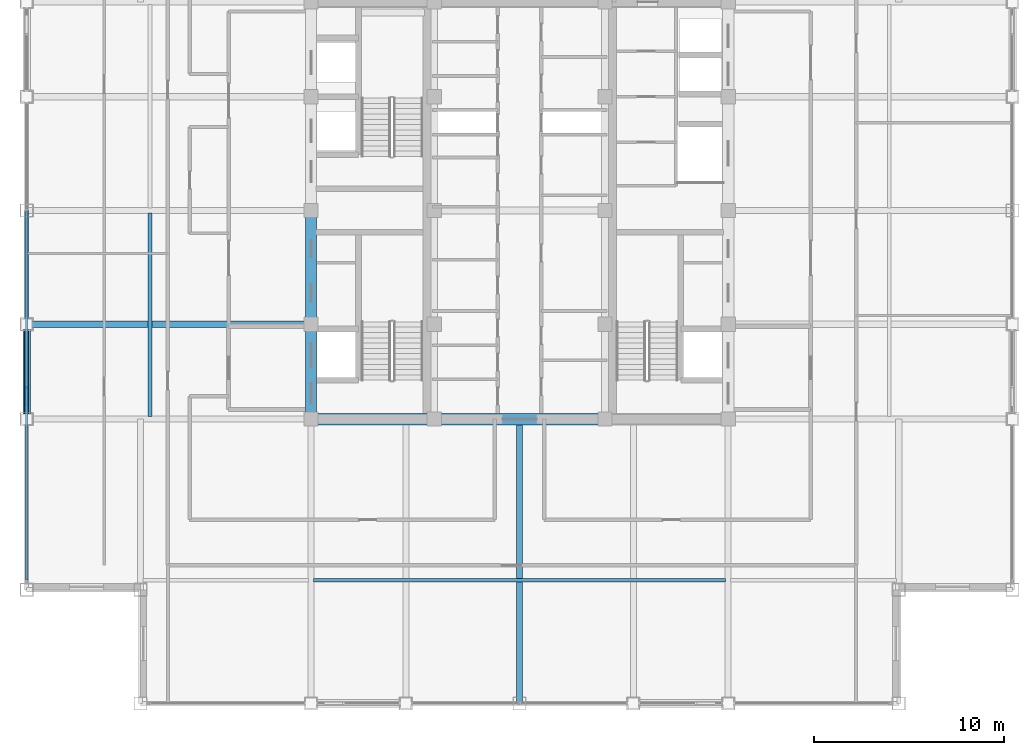
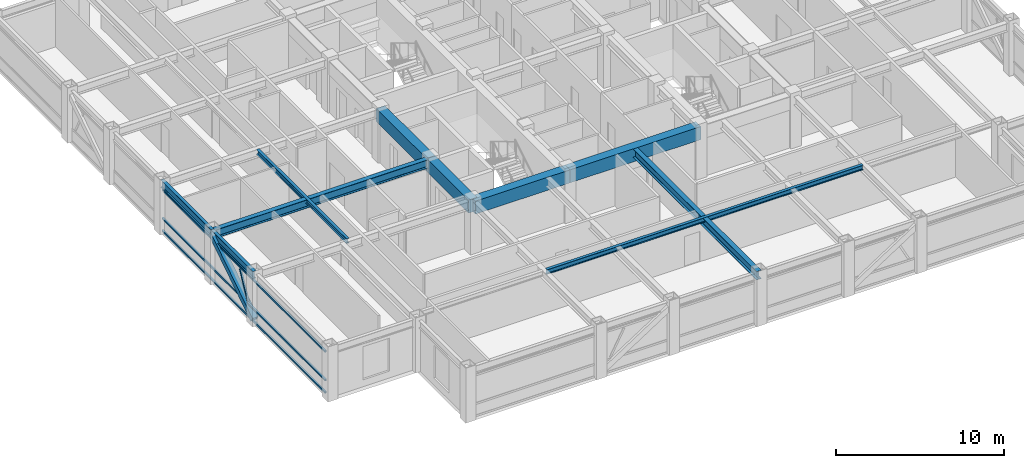
# One storey, part 5 of 29: 10 beams, 5 members, 1 element without a shape of its own.
"""IFC4 building model written with IfcOpenShell, lengths in metres."""

from ifc_helpers import new_model, si_unit, direction, frame, origin, origin_2d, place, context, subcontext, project, spatial, rectangle, hollow_rectangle, i_section, extrude, source, transform, mapped, material, material_profile, profile_set, type_object, element, aggregate, save


model = new_model("IFC4")

# Units and contexts
model_context = context("Model", 3, precision=1e-05, world=origin(), true_north=direction((0.0, 1.0)))
body_context = subcontext(model_context, "Body", "Model", "MODEL_VIEW")
ifc_project = project(units=[si_unit("LENGTHUNIT", "METRE"), si_unit("AREAUNIT", "SQUARE_METRE"), si_unit("VOLUMEUNIT", "CUBIC_METRE"), si_unit("PLANEANGLEUNIT", "RADIAN"), si_unit("MASSUNIT", "GRAM", prefix="KILO")], contexts=[model_context])

# Site, building, storey
site_placement = place(None, origin())
site = spatial("IfcSite", under=ifc_project, at=site_placement, CompositionType="ELEMENT")
building_placement = place(site_placement, origin())
building = spatial("IfcBuilding", under=site, at=building_placement, Name="Khorayat Bourse Tower", CompositionType="ELEMENT")
storey_placement = place(building_placement, frame((0.0, 0.0, 362.300048828125)))
storey = spatial("IfcBuildingStorey", under=building, at=storey_placement, Name="L86", CompositionType="ELEMENT", Elevation=362.300048828125)

# Beams
ifc_material_1 = material(Name="Concrete C60/75", Category="concrete")
ifc_material_profile_1 = material_profile(ifc_material_1, rectangle(XDim=0.60009765625, YDim=0.949951171875, at=origin_2d()), Name="RC 600x950")
ifc_profile_set_1 = profile_set([ifc_material_profile_1], Name="Concrete C60/75")
beam_type_1 = type_object("IfcBeamType", Name="BM-COUP-950", PredefinedType="BEAM", material=ifc_profile_set_1)
shared_shape_1 = source(origin(), body_context, "Body", "SweptSolid", [
    extrude(rectangle(XDim=0.60009765625, YDim=0.949951171875, at=origin_2d()), origin(), (0.0, 0.0, 1.0), 5.0),
])
beam_1_placement = place(storey_placement, frame((-11.0, -11.0, 3.264892578125), z_axis=(0.0, 1.0, 0.0), x_axis=(-1.0, 0.0, 0.0)))
element("IfcBeam", 1, at=beam_1_placement, inside=storey, type_object=beam_type_1, Name="L86 BM-COUP-950 BM-L86-CRX-01", PredefinedType="BEAM", context=body_context, shape_type="MappedRepresentation", body=[
    mapped(shared_shape_1, transform((0.0, 0.0, 0.0), scale=1.0)),
])
shared_shape_2 = source(origin(), body_context, "Body", "SweptSolid", [
    extrude(rectangle(XDim=0.60009765625, YDim=0.949951171875, at=origin_2d()), origin(), (0.0, 0.0, 1.0), 6.0),
])
beam_2_placement = place(storey_placement, frame((-11.0, -6.0, 3.264892578125), z_axis=(0.0, 1.0, 0.0), x_axis=(-1.0, 0.0, 0.0)))
element("IfcBeam", 2, at=beam_2_placement, inside=storey, type_object=beam_type_1, Name="L86 BM-COUP-950 BM-L86-CRX-02", PredefinedType="BEAM", context=body_context, shape_type="MappedRepresentation", body=[
    mapped(shared_shape_2, transform((0.0, 0.0, 0.0), scale=1.0)),
])
shared_shape_3 = source(origin(), body_context, "Body", "SweptSolid", [
    extrude(rectangle(XDim=0.60009765625, YDim=0.949951171875, at=origin_2d()), origin(), (0.0, 0.0, 1.0), 6.5),
])
beam_3_placement = place(storey_placement, frame((-11.0, -11.0, 3.264892578125), z_axis=(1.0, 0.0, 0.0), x_axis=(0.0, 1.0, 0.0)))
element("IfcBeam", 3, at=beam_3_placement, inside=storey, type_object=beam_type_1, Name="L86 BM-COUP-950 BM-L86-CRY-17", PredefinedType="BEAM", context=body_context, shape_type="MappedRepresentation", body=[
    mapped(shared_shape_3, transform((0.0, 0.0, 0.0), scale=1.0)),
])
shared_shape_4 = source(origin(), body_context, "Body", "SweptSolid", [
    extrude(rectangle(XDim=0.60009765625, YDim=0.949951171875, at=origin_2d()), origin(), (0.0, 0.0, 1.0), 9.0),
])
beam_4_placement = place(storey_placement, frame((-4.5, -11.0, 3.264892578125), z_axis=(1.0, 0.0, 0.0), x_axis=(0.0, 1.0, 0.0)))
element("IfcBeam", 4, at=beam_4_placement, inside=storey, type_object=beam_type_1, Name="L86 BM-COUP-950 BM-L86-CRY-18", PredefinedType="BEAM", context=body_context, shape_type="MappedRepresentation", body=[
    mapped(shared_shape_4, transform((0.0, 0.0, 0.0), scale=1.0)),
])
ifc_material_2 = material(Name="Steel ASTM A992 Grade 50", Category="steel")
ifc_material_profile_2 = material_profile(ifc_material_2, i_section(OverallWidth=0.202880859375, OverallDepth=0.346923828125, WebThickness=0.0078125, FlangeThickness=0.013427734375, FilletRadius=0.010009765625, at=origin_2d()), Name="W360X64")
ifc_profile_set_2 = profile_set([ifc_material_profile_2], Name="Steel ASTM A992 Grade 50")
beam_type_2 = type_object("IfcBeamType", Name="BM-JOIST-360", PredefinedType="JOIST", material=ifc_profile_set_2)
shared_shape_5 = source(origin(), body_context, "Body", "SweptSolid", [
    extrude(i_section(OverallWidth=0.202880859375, OverallDepth=0.346923828125, WebThickness=0.0078125, FlangeThickness=0.013427734375, FilletRadius=0.010009765625, at=origin_2d()), origin(), (0.0, 0.0, 1.0), 21.740234375),
])
beam_5_placement = place(storey_placement, frame((-10.8701171875, -19.5, 3.56640625), z_axis=(1.0, 0.0, 0.0), x_axis=(0.0, 1.0, 0.0)))
element("IfcBeam", 5, at=beam_5_placement, inside=storey, type_object=beam_type_2, Name="L86 BM-JOIST-360 BM-L86-JSTX-081", PredefinedType="JOIST", context=body_context, shape_type="MappedRepresentation", body=[
    mapped(shared_shape_5, transform((0.0, 0.0, 0.0), scale=1.0)),
])
shared_shape_6 = source(origin(), body_context, "Body", "SweptSolid", [
    extrude(i_section(OverallWidth=0.202880859375, OverallDepth=0.346923828125, WebThickness=0.0078125, FlangeThickness=0.013427734375, FilletRadius=0.010009765625, at=origin_2d()), origin(), (0.0, 0.0, 1.0), 10.740234375),
])
beam_6_placement = place(storey_placement, frame((-19.5, -10.8701171875, 3.56640625), z_axis=(0.0, 1.0, 0.0), x_axis=(-1.0, 0.0, 0.0)))
element("IfcBeam", 6, at=beam_6_placement, inside=storey, type_object=beam_type_2, Name="L86 BM-JOIST-360 BM-L86-JSTY-086", PredefinedType="JOIST", context=body_context, shape_type="MappedRepresentation", body=[
    mapped(shared_shape_6, transform((0.0, 0.0, 0.0), scale=1.0)),
])
ifc_material_profile_3 = material_profile(ifc_material_2, i_section(OverallWidth=0.214111328125, OverallDepth=0.549072265625, WebThickness=0.0146484375, FlangeThickness=0.023681640625, FilletRadius=0.013916015625, at=origin_2d()), Name="W530X138")
ifc_profile_set_3 = profile_set([ifc_material_profile_3], Name="Steel ASTM A992 Grade 50")
beam_type_3 = type_object("IfcBeamType", Name="BM-SPAN-530", PredefinedType="SPANDREL", material=ifc_profile_set_3)
shared_shape_7 = source(origin(), body_context, "Body", "SweptSolid", [
    extrude(i_section(OverallWidth=0.214111328125, OverallDepth=0.549072265625, WebThickness=0.0146484375, FlangeThickness=0.023681640625, FilletRadius=0.013916015625, at=origin_2d()), origin(), (0.0, 0.0, 1.0), 5.0),
])
beam_7_placement = place(storey_placement, frame((-26.0, -11.0, 3.46533203125), z_axis=(0.0, 1.0, 0.0), x_axis=(-1.0, 0.0, 0.0)))
element("IfcBeam", 7, at=beam_7_placement, inside=storey, type_object=beam_type_3, Name="L86 BM-SPAN-530 BM-L86-SPN-052", PredefinedType="SPANDREL", context=body_context, shape_type="MappedRepresentation", body=[
    mapped(shared_shape_7, transform((0.0, 0.0, 0.0), scale=1.0)),
])
shared_shape_8 = source(origin(), body_context, "Body", "SweptSolid", [
    extrude(i_section(OverallWidth=0.214111328125, OverallDepth=0.549072265625, WebThickness=0.0146484375, FlangeThickness=0.023681640625, FilletRadius=0.013916015625, at=origin_2d()), origin(), (0.0, 0.0, 1.0), 6.0),
])
beam_8_placement = place(storey_placement, frame((-26.0, -6.0, 3.46533203125), z_axis=(0.0, 1.0, 0.0), x_axis=(-1.0, 0.0, 0.0)))
element("IfcBeam", 8, at=beam_8_placement, inside=storey, type_object=beam_type_3, Name="L86 BM-SPAN-530 BM-L86-SPN-051", PredefinedType="SPANDREL", context=body_context, shape_type="MappedRepresentation", body=[
    mapped(shared_shape_8, transform((0.0, 0.0, 0.0), scale=1.0)),
])
ifc_material_profile_4 = material_profile(ifc_material_2, i_section(OverallWidth=0.324951171875, OverallDepth=0.615966796875, WebThickness=0.013916015625, FlangeThickness=0.021484375, FilletRadius=0.01611328125, at=origin_2d()), Name="W610X174")
ifc_profile_set_4 = profile_set([ifc_material_profile_4], Name="Steel ASTM A992 Grade 50")
beam_type_4 = type_object("IfcBeamType", Name="BM-GIRD-610", PredefinedType="BEAM", material=ifc_profile_set_4)
shared_shape_9 = source(origin(), body_context, "Body", "SweptSolid", [
    extrude(i_section(OverallWidth=0.324951171875, OverallDepth=0.615966796875, WebThickness=0.013916015625, FlangeThickness=0.021484375, FilletRadius=0.01611328125, at=origin_2d()), origin(), (0.0, 0.0, 1.0), 15.0),
])
for number, where, z_axis, x_axis, name in (
    (9, (0.0, -26.0, 3.431884765625), (0.0, 1.0, 0.0), (-1.0, 0.0, 0.0), "L86 BM-GIRD-610 BM-L86-RADY-061"),
    (10, (-26.0, -6.0, 3.431884765625), (1.0, 0.0, 0.0), (0.0, 1.0, 0.0), "L86 BM-GIRD-610 BM-L86-RADX-069"),
):
    element("IfcBeam", number, at=place(storey_placement, frame(where, z_axis=z_axis, x_axis=x_axis)), inside=storey, type_object=beam_type_4, Name=name, PredefinedType="BEAM", context=body_context, shape_type="MappedRepresentation", body=[
        mapped(shared_shape_9, transform((0.0, 0.0, 0.0), scale=1.0)),
    ])

# Member
ifc_material_3 = material(Name="Steel EN 10025-4 S460M", Category="steel")
ifc_material_profile_5 = material_profile(ifc_material_3, hollow_rectangle(XDim=0.39990234375, YDim=0.39990234375, WallThickness=0.02197265625, at=origin_2d()), Name="HSS 400x400x22")
ifc_profile_set_5 = profile_set([ifc_material_profile_5], Name="Steel EN 10025-4 S460M")
member_type_1 = type_object("IfcMemberType", Name="MBR-TUBE-400", PredefinedType="BRACE", material=ifc_profile_set_5)
shared_shape_10 = source(origin(), body_context, "Body", "SweptSolid", [
    extrude(hollow_rectangle(XDim=0.39990234375, YDim=0.39990234375, WallThickness=0.02197265625, at=origin_2d()), origin(), (0.0, 0.0, 1.0), 5.9580078125),
])
member_1_placement = place(storey_placement, frame((-26.0, -11.0, 0.25), z_axis=(0.0, 0.839210474455, 0.543806748364), x_axis=(-1.0, 0.0, 0.0)))
element("IfcMember", 11, at=member_1_placement, inside=storey, type_object=member_type_1, Name="L86 Perimeter Tube Brace 05", PredefinedType="BRACE", context=body_context, shape_type="MappedRepresentation", body=[
    mapped(shared_shape_10, transform((0.0, 0.0, 0.0), scale=1.0)),
])

# Curtain wall, members
ifc_material_4 = material(Name="Aluminium EN AW-6063 T6", Category="aluminium")
curtain_wall_type = type_object("IfcCurtainWallType", Name="CW-SYS-04", PredefinedType="NOTDEFINED", material=ifc_material_4)
curtain_wall_placement = place(storey_placement, origin())
curtain_wall = element("IfcCurtainWall", 12, at=curtain_wall_placement, inside=storey, type_object=curtain_wall_type, Name="L86 Curtain Wall CW-L86-W1", PredefinedType="NOTDEFINED")
ifc_material_profile_6 = material_profile(ifc_material_4, hollow_rectangle(XDim=0.1201171875, YDim=0.1201171875, WallThickness=0.0048828125, at=origin_2d()), Name="ALU 120x120x5")
ifc_profile_set_6 = profile_set([ifc_material_profile_6], Name="Aluminium EN AW-6063 T6")
member_type_2 = type_object("IfcMemberType", Name="CWM-DIAG-120", PredefinedType="MULLION", material=ifc_profile_set_6)
shared_shape_11 = source(origin(), body_context, "Body", "SweptSolid", [
    extrude(hollow_rectangle(XDim=0.1201171875, YDim=0.1201171875, WallThickness=0.0048828125, at=origin_2d()), origin(), (0.0, 0.0, 1.0), 2.0341796875),
])
member_2_placement = place(storey_placement, frame((-26.0, -10.24365234375, 1.08984375), z_axis=(0.0, 0.465696964104, 0.884944256789), x_axis=(-1.0, 0.0, 0.0)))
member_2 = element("IfcMember", 13, at=member_2_placement, type_object=member_type_2, Name="CW-L86-W1 Faceted Diagonal Mullion 1", PredefinedType="MULLION", context=body_context, shape_type="MappedRepresentation", body=[
    mapped(shared_shape_11, transform((0.0, 0.0, 0.0), scale=1.0)),
])
ifc_material_profile_7 = material_profile(ifc_material_4, hollow_rectangle(XDim=0.1201171875, YDim=0.1201171875, WallThickness=0.0048828125, at=origin_2d()), Name="ALU 120x120x5")
ifc_profile_set_7 = profile_set([ifc_material_profile_7], Name="Aluminium EN AW-6063 T6")
member_type_3 = type_object("IfcMemberType", Name="CWT-HORZ-120", PredefinedType="USERDEFINED", material=ifc_profile_set_7)
shared_shape_12 = source(origin(), body_context, "Body", "SweptSolid", [
    extrude(hollow_rectangle(XDim=0.1201171875, YDim=0.1201171875, WallThickness=0.0048828125, at=origin_2d()), origin(), (0.0, 0.0, 1.0), 19.419921875),
])
member_3_placement = place(storey_placement, frame((-26.0, -19.47998046875, 0.06005859375), z_axis=(0.0, 1.0, 0.0), x_axis=(-1.0, 0.0, 0.0)))
member_3 = element("IfcMember", 14, at=member_3_placement, type_object=member_type_3, Name="CW-L86-W1 Horizontal Transom 1-1", ObjectType="TRANSOM", PredefinedType="USERDEFINED", context=body_context, shape_type="MappedRepresentation", body=[
    mapped(shared_shape_12, transform((0.0, 0.0, 0.0), scale=1.0)),
])
member_4_placement = place(storey_placement, frame((-26.0, -19.47998046875, 0.949951171875), z_axis=(0.0, 1.0, 0.0), x_axis=(-1.0, 0.0, 0.0)))
member_4 = element("IfcMember", 15, at=member_4_placement, type_object=member_type_3, Name="CW-L86-W1 Horizontal Transom 1-2", ObjectType="TRANSOM", PredefinedType="USERDEFINED", context=body_context, shape_type="MappedRepresentation", body=[
    mapped(shared_shape_12, transform((0.0, 0.0, 0.0), scale=1.0)),
])
member_5_placement = place(storey_placement, frame((-26.0, -19.47998046875, 3.030029296875), z_axis=(0.0, 1.0, 0.0), x_axis=(-1.0, 0.0, 0.0)))
member_5 = element("IfcMember", 16, at=member_5_placement, type_object=member_type_3, Name="CW-L86-W1 Horizontal Transom 1-3", ObjectType="TRANSOM", PredefinedType="USERDEFINED", context=body_context, shape_type="MappedRepresentation", body=[
    mapped(shared_shape_12, transform((0.0, 0.0, 0.0), scale=1.0)),
])
aggregate(curtain_wall, [member_3, member_4, member_5, member_2])

save(model, "model.ifc")
